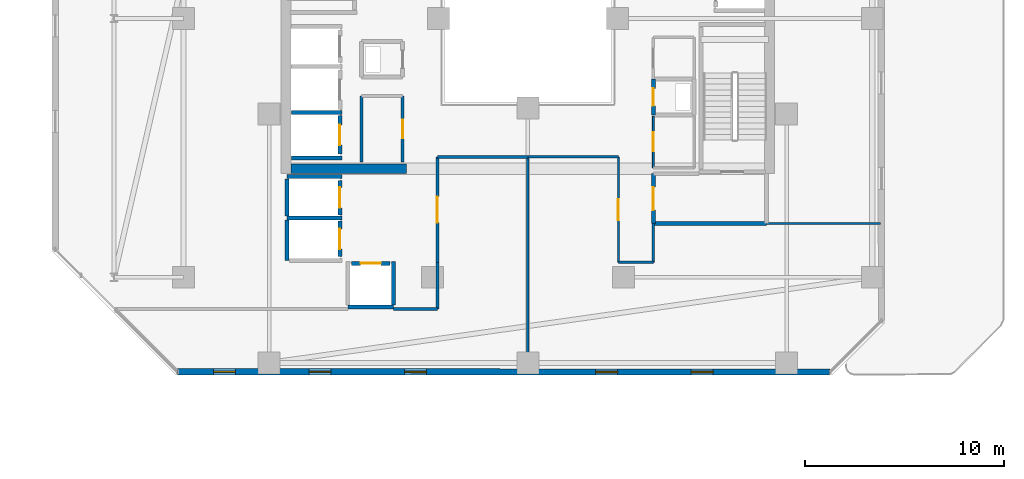
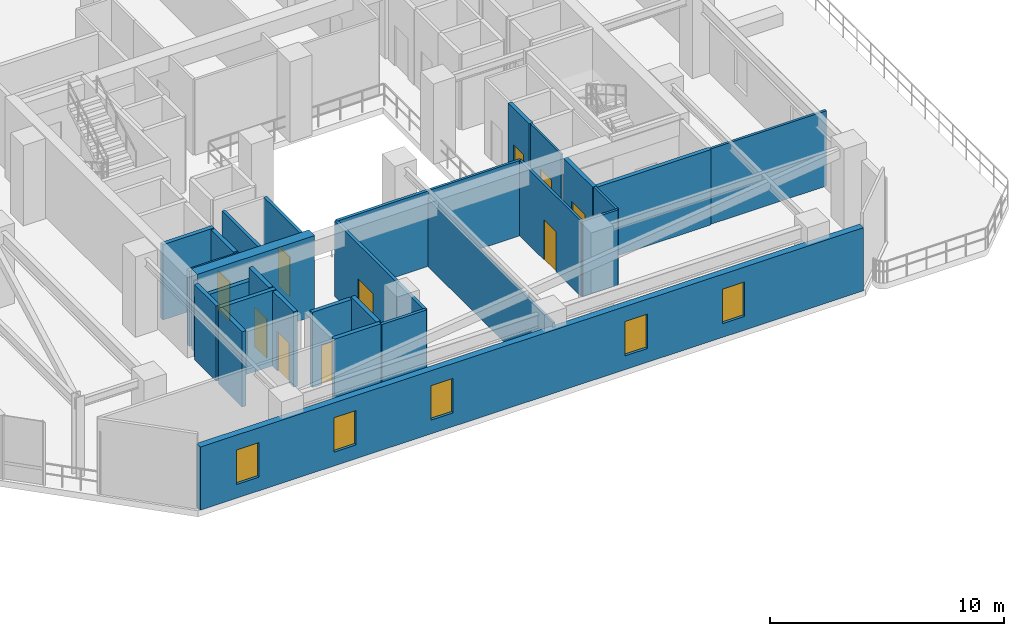
# One storey, part 24 of 33: 30 walls, 10 doors, 5 windows, 15 openings.
"""IFC4 building model written with IfcOpenShell, lengths in metres."""

from ifc_helpers import new_model, si_unit, direction, frame, frame_2d, origin, place, context, subcontext, project, spatial, rectangle, extrude, material, layer, layer_set, type_object, element, fill, save


model = new_model("IFC4")

# Units and contexts
model_context = context("Model", 3, precision=1e-05, world=origin(), true_north=direction((0.0, 1.0)))
body_context = subcontext(model_context, "Body", "Model", "MODEL_VIEW")
ifc_project = project(units=[si_unit("LENGTHUNIT", "METRE"), si_unit("AREAUNIT", "SQUARE_METRE"), si_unit("VOLUMEUNIT", "CUBIC_METRE"), si_unit("PLANEANGLEUNIT", "RADIAN"), si_unit("MASSUNIT", "GRAM", prefix="KILO")], contexts=[model_context])

# Site, building, storey
site_placement = place(None, origin())
site = spatial("IfcSite", under=ifc_project, at=site_placement, CompositionType="ELEMENT")
building_placement = place(site_placement, origin())
building = spatial("IfcBuilding", under=site, at=building_placement, Name="Thornwick Lancets Civic Towers", CompositionType="ELEMENT")
storey_placement = place(building_placement, frame((0.0, 0.0, 174.300048828125)))
storey = spatial("IfcBuildingStorey", under=building, at=storey_placement, Name="L46", CompositionType="ELEMENT", Elevation=174.300048828125)

# Wall, opening, door
ifc_material_1 = material(Name="Concrete blockwork C40/50", Category="masonry")
ifc_layer_1 = layer(ifc_material_1, 0.199951171875, Name="Concrete blockwork C40/50")
ifc_layer_set_1 = layer_set([ifc_layer_1], Name="Concrete blockwork C40/50")
wall_type_1 = type_object("IfcWallType", Name="WALL_COMP_200", PredefinedType="STANDARD", material=ifc_layer_set_1)
wall_1_placement = place(storey_placement, frame((79.050048828125, 20.179931640625, 0.0), z_axis=(0.0, 0.0, 1.0), x_axis=(0.0, 1.0, 0.0)))
wall_1 = element("IfcWall", 1, at=wall_1_placement, inside=storey, type_object=wall_type_1, Name="L46 Hoistway Front Wall PL-BH3", PredefinedType="STANDARD", context=body_context, shape_type="SweptSolid", body=[
    extrude(rectangle(XDim=1.940185546875, YDim=0.199951171875, at=frame_2d((0.97021484375, 0.0))), origin(), (0.0, 0.0, 1.0), 3.93994140625),
])
opening_1_placement = place(wall_1_placement, frame((0.4599609375, 0.0, 0.0)))
opening_1 = element("IfcOpeningElement", 2, at=opening_1_placement, cuts=wall_1, Name="Opening LD-PL-BH3", PredefinedType="OPENING", context=body_context, shape_type="SweptSolid", body=[
    extrude(rectangle(XDim=1.02001953125, YDim=2.06005859375, at=frame_2d((0.510009765625, 1.030029296875))), frame((0.0, 0.10986328125, 0.0), z_axis=(0.0, -1.0, 0.0), x_axis=(1.0, 0.0, 0.0)), (0.0, 0.0, 1.0), 0.219970703125),
])
ifc_material_2 = material(Name="Brushed bronze stainless steel", Category="steel")
door_type_1 = type_object("IfcDoorType", Name="DOOR_LIFT_SLIDE", OperationType="SLIDING_TO_LEFT", PredefinedType="DOOR", material=ifc_material_2)
door_1_placement = place(opening_1_placement, origin())
door_1 = element("IfcDoor", 3, at=door_1_placement, inside=storey, type_object=door_type_1, Name="L46 Sliding Lift Landing Door LD-PL-BH3", OperationType="SLIDING_TO_LEFT", OverallHeight=2.06005859375, OverallWidth=1.02001953125, PredefinedType="DOOR", context=body_context, shape_type="SweptSolid", body=[
    extrude(rectangle(XDim=1.02001953125, YDim=2.06005859375, at=frame_2d((0.510009765625, 1.030029296875))), frame((0.0, 0.02490234375, 0.0), z_axis=(0.0, -1.0, 0.0), x_axis=(1.0, 0.0, 0.0)), (0.0, 0.0, 1.0), 0.050048828125),
])
fill(opening_1, door_1)

wall_2_placement = place(storey_placement, frame((79.050048828125, 17.1298828125, 0.0), z_axis=(0.0, 0.0, 1.0), x_axis=(0.0, 1.0, 0.0)))
wall_2 = element("IfcWall", 4, at=wall_2_placement, inside=storey, type_object=wall_type_1, Name="L46 Hoistway Front Wall PL-BM1", PredefinedType="STANDARD", context=body_context, shape_type="SweptSolid", body=[
    extrude(rectangle(XDim=1.740234375, YDim=0.199951171875, at=frame_2d((0.8701171875, 0.0))), origin(), (0.0, 0.0, 1.0), 3.93994140625),
])
opening_2_placement = place(wall_2_placement, frame((0.360107421875, 0.0, 0.0)))
opening_2 = element("IfcOpeningElement", 5, at=opening_2_placement, cuts=wall_2, Name="Opening LD-PL-BM1", PredefinedType="OPENING", context=body_context, shape_type="SweptSolid", body=[
    extrude(rectangle(XDim=1.02001953125, YDim=2.06005859375, at=frame_2d((0.510009765625, 1.030029296875))), frame((0.0, 0.10986328125, 0.0), z_axis=(0.0, -1.0, 0.0), x_axis=(1.0, 0.0, 0.0)), (0.0, 0.0, 1.0), 0.219970703125),
])
door_2_placement = place(opening_2_placement, origin())
door_2 = element("IfcDoor", 6, at=door_2_placement, inside=storey, type_object=door_type_1, Name="L46 Sliding Lift Landing Door LD-PL-BM1", OperationType="SLIDING_TO_LEFT", OverallHeight=2.06005859375, OverallWidth=1.02001953125, PredefinedType="DOOR", context=body_context, shape_type="SweptSolid", body=[
    extrude(rectangle(XDim=1.02001953125, YDim=2.06005859375, at=frame_2d((0.510009765625, 1.030029296875))), frame((0.0, 0.02490234375, 0.0), z_axis=(0.0, -1.0, 0.0), x_axis=(1.0, 0.0, 0.0)), (0.0, 0.0, 1.0), 0.050048828125),
])
fill(opening_2, door_2)

wall_3_placement = place(storey_placement, frame((79.050048828125, 15.030029296875, 0.0), z_axis=(0.0, 0.0, 1.0), x_axis=(0.0, 1.0, 0.0)))
wall_3 = element("IfcWall", 7, at=wall_3_placement, inside=storey, type_object=wall_type_1, Name="L46 Hoistway Front Wall PL-BM2", PredefinedType="STANDARD", context=body_context, shape_type="SweptSolid", body=[
    extrude(rectangle(XDim=1.7900390625, YDim=0.199951171875, at=frame_2d((0.89501953125, 0.0))), origin(), (0.0, 0.0, 1.0), 3.93994140625),
])
opening_3_placement = place(wall_3_placement, frame((0.385009765625, 0.0, 0.0)))
opening_3 = element("IfcOpeningElement", 8, at=opening_3_placement, cuts=wall_3, Name="Opening LD-PL-BM2", PredefinedType="OPENING", context=body_context, shape_type="SweptSolid", body=[
    extrude(rectangle(XDim=1.02001953125, YDim=2.06005859375, at=frame_2d((0.510009765625, 1.030029296875))), frame((0.0, 0.10986328125, 0.0), z_axis=(0.0, -1.0, 0.0), x_axis=(1.0, 0.0, 0.0)), (0.0, 0.0, 1.0), 0.219970703125),
])
door_3_placement = place(opening_3_placement, origin())
door_3 = element("IfcDoor", 9, at=door_3_placement, inside=storey, type_object=door_type_1, Name="L46 Sliding Lift Landing Door LD-PL-BM2", OperationType="SLIDING_TO_LEFT", OverallHeight=2.06005859375, OverallWidth=1.02001953125, PredefinedType="DOOR", context=body_context, shape_type="SweptSolid", body=[
    extrude(rectangle(XDim=1.02001953125, YDim=2.06005859375, at=frame_2d((0.510009765625, 1.030029296875))), frame((0.0, 0.02490234375, 0.0), z_axis=(0.0, -1.0, 0.0), x_axis=(1.0, 0.0, 0.0)), (0.0, 0.0, 1.0), 0.050048828125),
])
fill(opening_3, door_3)

wall_4_placement = place(storey_placement, frame((79.6298828125, 14.699951171875, 0.0), z_axis=(0.0, 0.0, 1.0), x_axis=(1.0, 0.0, 0.0)))
wall_4 = element("IfcWall", 10, at=wall_4_placement, inside=storey, type_object=wall_type_1, Name="L46 Hoistway Front Wall PL-BM3", PredefinedType="STANDARD", context=body_context, shape_type="SweptSolid", body=[
    extrude(rectangle(XDim=1.940185546875, YDim=0.199951171875, at=frame_2d((0.97021484375, 0.0))), origin(), (0.0, 0.0, 1.0), 3.93994140625),
])
opening_4_placement = place(wall_4_placement, frame((0.4599609375, 0.0, 0.0)))
opening_4 = element("IfcOpeningElement", 11, at=opening_4_placement, cuts=wall_4, Name="Opening LD-PL-BM3", PredefinedType="OPENING", context=body_context, shape_type="SweptSolid", body=[
    extrude(rectangle(XDim=1.02001953125, YDim=2.06005859375, at=frame_2d((0.510009765625, 1.030029296875))), frame((0.0, 0.10986328125, 0.0), z_axis=(0.0, -1.0, 0.0), x_axis=(1.0, 0.0, 0.0)), (0.0, 0.0, 1.0), 0.219970703125),
])
door_4_placement = place(opening_4_placement, origin())
door_4 = element("IfcDoor", 12, at=door_4_placement, inside=storey, type_object=door_type_1, Name="L46 Sliding Lift Landing Door LD-PL-BM3", OperationType="SLIDING_TO_LEFT", OverallHeight=2.06005859375, OverallWidth=1.02001953125, PredefinedType="DOOR", context=body_context, shape_type="SweptSolid", body=[
    extrude(rectangle(XDim=1.02001953125, YDim=2.06005859375, at=frame_2d((0.510009765625, 1.030029296875))), frame((0.0, 0.02490234375, 0.0), z_axis=(0.0, -1.0, 0.0), x_axis=(1.0, 0.0, 0.0)), (0.0, 0.0, 1.0), 0.050048828125),
])
fill(opening_4, door_4)

# Walls
for number, where, z_axis, x_axis, name in (
    (13, (76.612060546875, 22.27490234375, 0.0), (0.0, 0.0, 1.0), (1.0, 0.0, 0.0), "L46 Hoistway Shaft Wall PL-BH2 S"),
    (14, (76.612060546875, 20.0, 0.0), (0.0, 0.0, 1.0), (1.0, 0.0, 0.0), "L46 Hoistway Shaft Wall PL-BH3 S"),
):
    element("IfcWall", number, at=place(storey_placement, frame(where, z_axis=z_axis, x_axis=x_axis)), inside=storey, type_object=wall_type_1, Name=name, PredefinedType="STANDARD", context=body_context, shape_type="SweptSolid", body=[
        extrude(rectangle(XDim=2.535888671875, YDim=0.199951171875, at=frame_2d((1.26806640625, 0.0))), origin(), (0.0, 0.0, 1.0), 3.93994140625),
    ])
wall_5_placement = place(storey_placement, frame((76.402099609375, 19.050048828125, 0.0), z_axis=(0.0, 0.0, 1.0), x_axis=(1.0, 0.0, 0.0)))
element("IfcWall", 15, at=wall_5_placement, inside=storey, type_object=wall_type_1, Name="L46 Hoistway Shaft Wall PL-BM1 N", PredefinedType="STANDARD", context=body_context, shape_type="SweptSolid", body=[
    extrude(rectangle(XDim=2.745849609375, YDim=0.199951171875, at=frame_2d((1.373046875, 0.0))), origin(), (0.0, 0.0, 1.0), 3.14501953125),
])
wall_6_placement = place(storey_placement, frame((76.402099609375, 16.97509765625, 0.0), z_axis=(0.0, 0.0, 1.0), x_axis=(1.0, 0.0, 0.0)))
element("IfcWall", 16, at=wall_6_placement, inside=storey, type_object=wall_type_1, Name="L46 Hoistway Shaft Wall PL-BM1 S", PredefinedType="STANDARD", context=body_context, shape_type="SweptSolid", body=[
    extrude(rectangle(XDim=2.745849609375, YDim=0.199951171875, at=frame_2d((1.373046875, 0.0))), origin(), (0.0, 0.0, 1.0), 3.93994140625),
])
wall_7_placement = place(storey_placement, frame((76.39990234375, 14.85205078125, 0.0), z_axis=(0.0, 0.0, 1.0), x_axis=(0.0, 1.0, 0.0)))
element("IfcWall", 17, at=wall_7_placement, inside=storey, type_object=wall_type_1, Name="L46 Hoistway Shaft Wall PL-BM1 W", PredefinedType="STANDARD", context=body_context, shape_type="SweptSolid", body=[
    extrude(rectangle(XDim=2.015869140625, YDim=0.199951171875, at=frame_2d((1.0078125, 0.0))), origin(), (0.0, 0.0, 1.0), 3.93994140625),
])
wall_8_placement = place(storey_placement, frame((76.39990234375, 17.08203125, 0.0), z_axis=(0.0, 0.0, 1.0), x_axis=(0.0, 1.0, 0.0)))
element("IfcWall", 18, at=wall_8_placement, inside=storey, type_object=wall_type_1, Name="L46 Hoistway Shaft Wall PL-BM1 W", PredefinedType="STANDARD", context=body_context, shape_type="SweptSolid", body=[
    extrude(rectangle(XDim=1.85595703125, YDim=0.199951171875, at=frame_2d((0.927978515625, 0.0))), origin(), (0.0, 0.0, 1.0), 3.93994140625),
])
wall_9_placement = place(storey_placement, frame((79.451904296875, 12.5, 0.0), z_axis=(0.0, 0.0, 1.0), x_axis=(1.0, 0.0, 0.0)))
element("IfcWall", 19, at=wall_9_placement, inside=storey, type_object=wall_type_1, Name="L46 Hoistway Shaft Wall PL-BM3 S", PredefinedType="STANDARD", context=body_context, shape_type="SweptSolid", body=[
    extrude(rectangle(XDim=2.296142578125, YDim=0.199951171875, at=frame_2d((1.14794921875, 0.0))), origin(), (0.0, 0.0, 1.0), 3.93994140625),
])
wall_10_placement = place(storey_placement, frame((81.75, 12.612060546875, 0.0), z_axis=(0.0, 0.0, 1.0), x_axis=(0.0, 1.0, 0.0)))
element("IfcWall", 20, at=wall_10_placement, inside=storey, type_object=wall_type_1, Name="L46 Hoistway Shaft Wall PL-BM3 E", PredefinedType="STANDARD", context=body_context, shape_type="SweptSolid", body=[
    extrude(rectangle(XDim=2.18603515625, YDim=0.199951171875, at=frame_2d((1.093017578125, 0.0))), origin(), (0.0, 0.0, 1.0), 3.93994140625),
])
wall_11_placement = place(storey_placement, frame((94.800048828125, 16.699951171875, 0.0), z_axis=(0.0, 0.0, 1.0), x_axis=(1.0, 0.0, 0.0)))
element("IfcWall", 21, at=wall_11_placement, inside=storey, type_object=wall_type_1, Name="L46 Partition L46-B-FFLOB1 E1", PredefinedType="STANDARD", context=body_context, shape_type="SweptSolid", body=[
    extrude(rectangle(XDim=5.699951171875, YDim=0.199951171875, at=frame_2d((2.85009765625, 0.0))), origin(), (0.0, 0.0, 1.0), 3.93994140625),
])

# Wall, opening, door
wall_12_placement = place(storey_placement, frame((94.800048828125, 19.199951171875, 0.0), z_axis=(0.0, 0.0, 1.0), x_axis=(0.0, -1.0, 0.0)))
wall_12 = element("IfcWall", 22, at=wall_12_placement, inside=storey, type_object=wall_type_1, Name="L46 Partition L46-B-FFLOB1 E4", PredefinedType="STANDARD", context=body_context, shape_type="SweptSolid", body=[
    extrude(rectangle(XDim=2.5, YDim=0.199951171875, at=frame_2d((1.25, 0.0))), origin(), (0.0, 0.0, 1.0), 3.93994140625),
])
opening_5_placement = place(wall_12_placement, frame((0.675048828125, 0.0, 0.0)))
opening_5 = element("IfcOpeningElement", 23, at=opening_5_placement, cuts=wall_12, Name="Opening D-L46-2061", PredefinedType="OPENING", context=body_context, shape_type="SweptSolid", body=[
    extrude(rectangle(XDim=1.14990234375, YDim=2.10009765625, at=frame_2d((0.574951171875, 1.050048828125))), frame((0.0, 0.10986328125, 0.0), z_axis=(0.0, -1.0, 0.0), x_axis=(1.0, 0.0, 0.0)), (0.0, 0.0, 1.0), 0.219970703125),
])
ifc_material_3 = material(Name="Glazed fire-resisting steel", Category="steel")
door_type_2 = type_object("IfcDoorType", Name="DOOR_LOBBY_FD60", OperationType="NOTDEFINED", PredefinedType="DOOR", material=ifc_material_3)
door_5_placement = place(opening_5_placement, origin())
door_5 = element("IfcDoor", 24, at=door_5_placement, inside=storey, type_object=door_type_2, Name="L46 East Firefighting Lobby 1 Door", OperationType="SINGLE_SWING_RIGHT", OverallHeight=2.10009765625, OverallWidth=1.14990234375, PredefinedType="DOOR", context=body_context, shape_type="SweptSolid", body=[
    extrude(rectangle(XDim=1.14990234375, YDim=2.10009765625, at=frame_2d((0.574951171875, 1.050048828125))), frame((0.0, 0.02490234375, 0.0), z_axis=(0.0, -1.0, 0.0), x_axis=(1.0, 0.0, 0.0)), (0.0, 0.0, 1.0), 0.050048828125),
])
fill(opening_5, door_5)

wall_13_placement = place(storey_placement, frame((94.800048828125, 23.949951171875, 0.0), z_axis=(0.0, 0.0, 1.0), x_axis=(0.0, -1.0, 0.0)))
wall_13 = element("IfcWall", 25, at=wall_13_placement, inside=storey, type_object=wall_type_1, Name="L46 Partition L46-B-RISER1 E4", PredefinedType="STANDARD", context=body_context, shape_type="SweptSolid", body=[
    extrude(rectangle(XDim=1.800048828125, YDim=0.199951171875, at=frame_2d((0.89990234375, 0.0))), origin(), (0.0, 0.0, 1.0), 3.93994140625),
])
opening_6_placement = place(wall_13_placement, frame((0.4599609375, 0.0, 0.0)))
opening_6 = element("IfcOpeningElement", 26, at=opening_6_placement, cuts=wall_13, Name="Opening D-L46-2064", PredefinedType="OPENING", context=body_context, shape_type="SweptSolid", body=[
    extrude(rectangle(XDim=0.8798828125, YDim=2.0400390625, at=frame_2d((0.43994140625, 1.02001953125))), frame((0.0, 0.10986328125, 0.0), z_axis=(0.0, -1.0, 0.0), x_axis=(1.0, 0.0, 0.0)), (0.0, 0.0, 1.0), 0.219970703125),
])
ifc_material_4 = material(Name="Steel riser access doorset", Category="steel")
door_type_3 = type_object("IfcDoorType", Name="DOOR_RISER_850", OperationType="NOTDEFINED", PredefinedType="DOOR", material=ifc_material_4)
door_6_placement = place(opening_6_placement, origin())
door_6 = element("IfcDoor", 27, at=door_6_placement, inside=storey, type_object=door_type_3, Name="L46 East Electrical Riser 1 Door", OperationType="SINGLE_SWING_LEFT", OverallHeight=2.0400390625, OverallWidth=0.8798828125, PredefinedType="DOOR", context=body_context, shape_type="SweptSolid", body=[
    extrude(rectangle(XDim=0.8798828125, YDim=2.0400390625, at=frame_2d((0.43994140625, 1.02001953125))), frame((0.0, 0.02490234375, 0.0), z_axis=(0.0, -1.0, 0.0), x_axis=(1.0, 0.0, 0.0)), (0.0, 0.0, 1.0), 0.050048828125),
])
fill(opening_6, door_6)

# Wall
ifc_material_5 = material(Name="Concrete C50/60", Category="concrete")
ifc_layer_2 = layer(ifc_material_5, 0.5, Name="Concrete C50/60")
ifc_layer_set_2 = layer_set([ifc_layer_2], Name="Concrete C50/60")
wall_type_2 = type_object("IfcWallType", Name="WALL_CORE_500", PredefinedType="SHEAR", material=ifc_layer_set_2)
wall_14_placement = place(storey_placement, frame((76.60009765625, 19.449951171875, 0.0), z_axis=(0.0, 0.0, 1.0), x_axis=(1.0, 0.0, 0.0)))
element("IfcWall", 28, at=wall_14_placement, inside=storey, type_object=wall_type_2, Name="L46 Split Core B2 Shear Wall S", PredefinedType="SHEAR", context=body_context, shape_type="SweptSolid", body=[
    extrude(rectangle(XDim=5.7998046875, YDim=0.5, at=frame_2d((2.89990234375, 0.0))), origin(), (0.0, 0.0, 1.0), 4.199951171875),
])

# Wall, openings, windows
ifc_material_6 = material(Name="Insulated buff terracotta rainscreen on concrete C40/50", Category="masonry")
ifc_layer_3 = layer(ifc_material_6, 0.320068359375, Name="Insulated buff terracotta rainscreen on concrete C40/50")
ifc_layer_set_3 = layer_set([ifc_layer_3], Name="Insulated buff terracotta rainscreen on concrete C40/50")
wall_type_3 = type_object("IfcWallType", Name="WALL_EXT_TERRA_320", PredefinedType="STANDARD", material=ifc_layer_set_3)
wall_15_placement = place(storey_placement, frame((70.903564453125, 9.247314453125, 0.0), z_axis=(0.0, 0.0, 1.0), x_axis=(0.999999933399, -0.000364968916, 0.0)))
wall_15 = element("IfcWall", 29, at=wall_15_placement, inside=storey, type_object=wall_type_3, Name="L46 Tower B Terracotta Facade Wall E0", PredefinedType="STANDARD", context=body_context, shape_type="SweptSolid", body=[
    extrude(rectangle(XDim=32.77783203125, YDim=0.320068359375, at=frame_2d((16.388916015625, 0.0))), origin(), (0.0, 0.0, 1.0), 3.300048828125),
])
opening_7_placement = place(wall_15_placement, frame((1.800048828125, 0.0, 0.719970703125)))
opening_7 = element("IfcOpeningElement", 30, at=opening_7_placement, cuts=wall_15, Name="Opening WL-02", PredefinedType="OPENING", context=body_context, shape_type="SweptSolid", body=[
    extrude(rectangle(XDim=1.10009765625, YDim=1.800048828125, at=frame_2d((0.550048828125, 0.89990234375))), frame((0.0, 0.169921875, 0.0), z_axis=(0.0, -1.0, 0.0), x_axis=(1.0, 0.0, 0.0)), (0.0, 0.0, 1.0), 0.340087890625),
])
opening_8_placement = place(wall_15_placement, frame((6.60009765625, 0.0, 0.719970703125)))
opening_8 = element("IfcOpeningElement", 31, at=opening_8_placement, cuts=wall_15, Name="Opening WL-02", PredefinedType="OPENING", context=body_context, shape_type="SweptSolid", body=[
    extrude(rectangle(XDim=1.10009765625, YDim=1.800048828125, at=frame_2d((0.550048828125, 0.89990234375))), frame((0.0, 0.169921875, 0.0), z_axis=(0.0, -1.0, 0.0), x_axis=(1.0, 0.0, 0.0)), (0.0, 0.0, 1.0), 0.340087890625),
])
opening_9_placement = place(wall_15_placement, frame((11.39990234375, 0.0, 0.719970703125)))
opening_9 = element("IfcOpeningElement", 32, at=opening_9_placement, cuts=wall_15, Name="Opening WL-02", PredefinedType="OPENING", context=body_context, shape_type="SweptSolid", body=[
    extrude(rectangle(XDim=1.10009765625, YDim=1.800048828125, at=frame_2d((0.550048828125, 0.89990234375))), frame((0.0, 0.169921875, 0.0), z_axis=(0.0, -1.0, 0.0), x_axis=(1.0, 0.0, 0.0)), (0.0, 0.0, 1.0), 0.340087890625),
])
opening_10_placement = place(wall_15_placement, frame((21.0, 0.0, 0.719970703125)))
opening_10 = element("IfcOpeningElement", 33, at=opening_10_placement, cuts=wall_15, Name="Opening WL-02", PredefinedType="OPENING", context=body_context, shape_type="SweptSolid", body=[
    extrude(rectangle(XDim=1.10009765625, YDim=1.800048828125, at=frame_2d((0.550048828125, 0.89990234375))), frame((0.0, 0.169921875, 0.0), z_axis=(0.0, -1.0, 0.0), x_axis=(1.0, 0.0, 0.0)), (0.0, 0.0, 1.0), 0.340087890625),
])
opening_11_placement = place(wall_15_placement, frame((25.800048828125, 0.0, 0.719970703125)))
opening_11 = element("IfcOpeningElement", 34, at=opening_11_placement, cuts=wall_15, Name="Opening WL-02", PredefinedType="OPENING", context=body_context, shape_type="SweptSolid", body=[
    extrude(rectangle(XDim=1.10009765625, YDim=1.800048828125, at=frame_2d((0.550048828125, 0.89990234375))), frame((0.0, 0.169921875, 0.0), z_axis=(0.0, -1.0, 0.0), x_axis=(1.0, 0.0, 0.0)), (0.0, 0.0, 1.0), 0.340087890625),
])
ifc_material_7 = material(Name="Clear low-e double glazing in bronze frame", Category="glass")
window_type = type_object("IfcWindowType", Name="WIN_LANCET_1100", PartitioningType="SINGLE_PANEL", PredefinedType="WINDOW", material=ifc_material_7)
window_1_placement = place(opening_7_placement, origin())
window_1 = element("IfcWindow", 35, at=window_1_placement, inside=storey, type_object=window_type, Name="L46 Tower B Staggered Lancet Window E0-1", OverallHeight=1.800048828125, OverallWidth=1.10009765625, PartitioningType="SINGLE_PANEL", PredefinedType="WINDOW", context=body_context, shape_type="SweptSolid", body=[
    extrude(rectangle(XDim=1.10009765625, YDim=1.800048828125, at=frame_2d((0.550048828125, 0.89990234375))), frame((0.0, 0.030029296875, 0.0), z_axis=(0.0, -1.0, 0.0), x_axis=(1.0, 0.0, 0.0)), (0.0, 0.0, 1.0), 0.06005859375),
])
fill(opening_7, window_1)
window_2_placement = place(opening_8_placement, origin())
window_2 = element("IfcWindow", 36, at=window_2_placement, inside=storey, type_object=window_type, Name="L46 Tower B Staggered Lancet Window E0-2", OverallHeight=1.800048828125, OverallWidth=1.10009765625, PartitioningType="SINGLE_PANEL", PredefinedType="WINDOW", context=body_context, shape_type="SweptSolid", body=[
    extrude(rectangle(XDim=1.10009765625, YDim=1.800048828125, at=frame_2d((0.550048828125, 0.89990234375))), frame((0.0, 0.030029296875, 0.0), z_axis=(0.0, -1.0, 0.0), x_axis=(1.0, 0.0, 0.0)), (0.0, 0.0, 1.0), 0.06005859375),
])
fill(opening_8, window_2)
window_3_placement = place(opening_9_placement, origin())
window_3 = element("IfcWindow", 37, at=window_3_placement, inside=storey, type_object=window_type, Name="L46 Tower B Staggered Lancet Window E0-3", OverallHeight=1.800048828125, OverallWidth=1.10009765625, PartitioningType="SINGLE_PANEL", PredefinedType="WINDOW", context=body_context, shape_type="SweptSolid", body=[
    extrude(rectangle(XDim=1.10009765625, YDim=1.800048828125, at=frame_2d((0.550048828125, 0.89990234375))), frame((0.0, 0.030029296875, 0.0), z_axis=(0.0, -1.0, 0.0), x_axis=(1.0, 0.0, 0.0)), (0.0, 0.0, 1.0), 0.06005859375),
])
fill(opening_9, window_3)
window_4_placement = place(opening_10_placement, origin())
window_4 = element("IfcWindow", 38, at=window_4_placement, inside=storey, type_object=window_type, Name="L46 Tower B Staggered Lancet Window E0-4", OverallHeight=1.800048828125, OverallWidth=1.10009765625, PartitioningType="SINGLE_PANEL", PredefinedType="WINDOW", context=body_context, shape_type="SweptSolid", body=[
    extrude(rectangle(XDim=1.10009765625, YDim=1.800048828125, at=frame_2d((0.550048828125, 0.89990234375))), frame((0.0, 0.030029296875, 0.0), z_axis=(0.0, -1.0, 0.0), x_axis=(1.0, 0.0, 0.0)), (0.0, 0.0, 1.0), 0.06005859375),
])
fill(opening_10, window_4)
window_5_placement = place(opening_11_placement, origin())
window_5 = element("IfcWindow", 39, at=window_5_placement, inside=storey, type_object=window_type, Name="L46 Tower B Staggered Lancet Window E0-5", OverallHeight=1.800048828125, OverallWidth=1.10009765625, PartitioningType="SINGLE_PANEL", PredefinedType="WINDOW", context=body_context, shape_type="SweptSolid", body=[
    extrude(rectangle(XDim=1.10009765625, YDim=1.800048828125, at=frame_2d((0.550048828125, 0.89990234375))), frame((0.0, 0.030029296875, 0.0), z_axis=(0.0, -1.0, 0.0), x_axis=(1.0, 0.0, 0.0)), (0.0, 0.0, 1.0), 0.06005859375),
])
fill(opening_11, window_5)

# Wall, opening, door
ifc_material_8 = material(Name="Lightweight cellular office partition")
ifc_layer_4 = layer(ifc_material_8, 0.10009765625, Name="Lightweight cellular office partition")
ifc_layer_set_4 = layer_set([ifc_layer_4], Name="Lightweight cellular office partition")
wall_type_4 = type_object("IfcWallType", Name="WALL_PART_100", PredefinedType="PARTITIONING", material=ifc_layer_set_4)
wall_16_placement = place(storey_placement, frame((94.800048828125, 22.10009765625, 0.0), z_axis=(0.0, 0.0, 1.0), x_axis=(0.0, -1.0, 0.0)))
wall_16 = element("IfcWall", 40, at=wall_16_placement, inside=storey, type_object=wall_type_4, Name="L46 Partition L46-B-CLN E4", PredefinedType="PARTITIONING", context=body_context, shape_type="SweptSolid", body=[
    extrude(rectangle(XDim=2.60009765625, YDim=0.10009765625, at=frame_2d((1.300048828125, 0.0))), origin(), (0.0, 0.0, 1.0), 3.93994140625),
])
opening_12_placement = place(wall_16_placement, frame((0.824951171875, 0.0, 0.0)))
opening_12 = element("IfcOpeningElement", 41, at=opening_12_placement, cuts=wall_16, Name="Opening D-L46-2067", PredefinedType="OPENING", context=body_context, shape_type="SweptSolid", body=[
    extrude(rectangle(XDim=0.949951171875, YDim=2.10009765625, at=frame_2d((0.47509765625, 1.050048828125))), frame((0.0, 0.06005859375, 0.0), z_axis=(0.0, -1.0, 0.0), x_axis=(1.0, 0.0, 0.0)), (0.0, 0.0, 1.0), 0.1201171875),
])
ifc_material_9 = material(Name="European oak acoustic doorset")
door_type_4 = type_object("IfcDoorType", Name="DOOR_OFFICE_950", OperationType="NOTDEFINED", PredefinedType="DOOR", material=ifc_material_9)
door_7_placement = place(opening_12_placement, origin())
door_7 = element("IfcDoor", 42, at=door_7_placement, inside=storey, type_object=door_type_4, Name="L46 Tower B Cleaners Store Door", OperationType="SINGLE_SWING_RIGHT", OverallHeight=2.10009765625, OverallWidth=0.949951171875, PredefinedType="DOOR", context=body_context, shape_type="SweptSolid", body=[
    extrude(rectangle(XDim=0.949951171875, YDim=2.10009765625, at=frame_2d((0.47509765625, 1.050048828125))), frame((0.0, 0.02490234375, 0.0), z_axis=(0.0, -1.0, 0.0), x_axis=(1.0, 0.0, 0.0)), (0.0, 0.0, 1.0), 0.050048828125),
])
fill(opening_12, door_7)

# Walls
ifc_material_10 = material(Name="Acoustic gypsum board partition")
ifc_layer_5 = layer(ifc_material_10, 0.1201171875, Name="Acoustic gypsum board partition")
ifc_layer_set_5 = layer_set([ifc_layer_5], Name="Acoustic gypsum board partition")
wall_type_5 = type_object("IfcWallType", Name="WALL_PART_120", PredefinedType="PARTITIONING", material=ifc_layer_set_5)
wall_17_placement = place(storey_placement, frame((88.5, 9.280029296875, 0.0), z_axis=(0.0, 0.0, 1.0), x_axis=(0.0, 1.0, 0.0)))
element("IfcWall", 43, at=wall_17_placement, inside=storey, type_object=wall_type_5, Name="L46 Partition L46-B-W1 E2", PredefinedType="PARTITIONING", context=body_context, shape_type="SweptSolid", body=[
    extrude(rectangle(XDim=10.77001953125, YDim=0.1201171875, at=frame_2d((5.385009765625, 0.0))), origin(), (0.0, 0.0, 1.0), 3.5322265625),
])
wall_18_placement = place(storey_placement, frame((88.5, 20.050048828125, 0.0), z_axis=(0.0, 0.0, 1.0), x_axis=(1.0, 0.0, 0.0)))
element("IfcWall", 44, at=wall_18_placement, inside=storey, type_object=wall_type_5, Name="L46 Partition L46-B-W1 E3", PredefinedType="PARTITIONING", context=body_context, shape_type="SweptSolid", body=[
    extrude(rectangle(XDim=4.550048828125, YDim=0.1201171875, at=frame_2d((2.27490234375, 0.0))), origin(), (0.0, 0.0, 1.0), 3.93994140625),
])

# Wall, opening, door
wall_19_placement = place(storey_placement, frame((93.050048828125, 20.050048828125, 0.0), z_axis=(0.0, 0.0, 1.0), x_axis=(0.0, -1.0, 0.0)))
wall_19 = element("IfcWall", 45, at=wall_19_placement, inside=storey, type_object=wall_type_5, Name="L46 Partition L46-B-W1 E4", PredefinedType="PARTITIONING", context=body_context, shape_type="SweptSolid", body=[
    extrude(rectangle(XDim=5.300048828125, YDim=0.1201171875, at=frame_2d((2.64990234375, 0.0))), origin(), (0.0, 0.0, 1.0), 3.93994140625),
])
opening_13_placement = place(wall_19_placement, frame((2.125, 0.0, 0.0)))
opening_13 = element("IfcOpeningElement", 46, at=opening_13_placement, cuts=wall_19, Name="Opening D-L46-2079", PredefinedType="OPENING", context=body_context, shape_type="SweptSolid", body=[
    extrude(rectangle(XDim=1.050048828125, YDim=2.10009765625, at=frame_2d((0.52490234375, 1.050048828125))), frame((0.0, 0.070068359375, 0.0), z_axis=(0.0, -1.0, 0.0), x_axis=(1.0, 0.0, 0.0)), (0.0, 0.0, 1.0), 0.14013671875),
])
ifc_material_11 = material(Name="Glazed European oak executive doorset")
door_type_5 = type_object("IfcDoorType", Name="DOOR_OFFICE_1050", OperationType="NOTDEFINED", PredefinedType="DOOR", material=ifc_material_11)
door_8_placement = place(opening_13_placement, origin())
door_8 = element("IfcDoor", 47, at=door_8_placement, inside=storey, type_object=door_type_5, Name="L46 Tower B Ministry Directorate Office W1 Door", OperationType="SINGLE_SWING_RIGHT", OverallHeight=2.10009765625, OverallWidth=1.050048828125, PredefinedType="DOOR", context=body_context, shape_type="SweptSolid", body=[
    extrude(rectangle(XDim=1.050048828125, YDim=2.10009765625, at=frame_2d((0.52490234375, 1.050048828125))), frame((0.0, 0.02490234375, 0.0), z_axis=(0.0, -1.0, 0.0), x_axis=(1.0, 0.0, 0.0)), (0.0, 0.0, 1.0), 0.050048828125),
])
fill(opening_13, door_8)

# Walls
wall_20_placement = place(storey_placement, frame((93.050048828125, 14.75, 0.0), z_axis=(0.0, 0.0, 1.0), x_axis=(1.0, 0.0, 0.0)))
element("IfcWall", 48, at=wall_20_placement, inside=storey, type_object=wall_type_5, Name="L46 Partition L46-B-W1 E5", PredefinedType="PARTITIONING", context=body_context, shape_type="SweptSolid", body=[
    extrude(rectangle(XDim=1.75, YDim=0.1201171875, at=frame_2d((0.875, 0.0))), origin(), (0.0, 0.0, 1.0), 3.93994140625),
])
wall_21_placement = place(storey_placement, frame((94.800048828125, 14.75, 0.0), z_axis=(0.0, 0.0, 1.0), x_axis=(0.0, 1.0, 0.0)))
element("IfcWall", 49, at=wall_21_placement, inside=storey, type_object=wall_type_5, Name="L46 Partition L46-B-W1 E6", PredefinedType="PARTITIONING", context=body_context, shape_type="SweptSolid", body=[
    extrude(rectangle(XDim=1.949951171875, YDim=0.1201171875, at=frame_2d((0.97509765625, 0.0))), origin(), (0.0, 0.0, 1.0), 3.93994140625),
])
wall_22_placement = place(storey_placement, frame((100.5, 16.699951171875, 0.0), z_axis=(0.0, 0.0, 1.0), x_axis=(1.0, 0.0, 0.0)))
element("IfcWall", 50, at=wall_22_placement, inside=storey, type_object=wall_type_5, Name="L46 Partition L46-B-W1 E8", PredefinedType="PARTITIONING", context=body_context, shape_type="SweptSolid", body=[
    extrude(rectangle(XDim=5.719970703125, YDim=0.1201171875, at=frame_2d((2.85986328125, 0.0))), origin(), (0.0, 0.0, 1.0), 3.93994140625),
])

# Wall, opening, door
ifc_material_12 = material(Name="Twin-stud acoustic gypsum board")
ifc_layer_6 = layer(ifc_material_12, 0.14990234375, Name="Twin-stud acoustic gypsum board")
ifc_layer_set_6 = layer_set([ifc_layer_6], Name="Twin-stud acoustic gypsum board")
wall_type_6 = type_object("IfcWallType", Name="WALL_PART_150", PredefinedType="PARTITIONING", material=ifc_layer_set_6)
wall_23_placement = place(storey_placement, frame((82.199951171875, 19.800048828125, 0.0), z_axis=(0.0, 0.0, 1.0), x_axis=(0.0, 1.0, 0.0)))
wall_23 = element("IfcWall", 51, at=wall_23_placement, inside=storey, type_object=wall_type_6, Name="L46 Partition L46-B-MWC E2", PredefinedType="PARTITIONING", context=body_context, shape_type="SweptSolid", body=[
    extrude(rectangle(XDim=3.300048828125, YDim=0.14990234375, at=frame_2d((1.64990234375, 0.0))), origin(), (0.0, 0.0, 1.0), 3.93994140625),
])
opening_14_placement = place(wall_23_placement, frame((1.18994140625, 0.0, 0.0)))
opening_14 = element("IfcOpeningElement", 52, at=opening_14_placement, cuts=wall_23, Name="Opening D-L46-2071", PredefinedType="OPENING", context=body_context, shape_type="SweptSolid", body=[
    extrude(rectangle(XDim=0.919921875, YDim=2.080078125, at=frame_2d((0.4599609375, 1.0400390625))), frame((0.0, 0.0849609375, 0.0), z_axis=(0.0, -1.0, 0.0), x_axis=(1.0, 0.0, 0.0)), (0.0, 0.0, 1.0), 0.169921875),
])
ifc_material_13 = material(Name="Moisture-resistant oak doorset")
door_type_6 = type_object("IfcDoorType", Name="DOOR_WC_900", OperationType="NOTDEFINED", PredefinedType="DOOR", material=ifc_material_13)
door_9_placement = place(opening_14_placement, origin())
door_9 = element("IfcDoor", 53, at=door_9_placement, inside=storey, type_object=door_type_6, Name="L46 Tower B Male WC Door", OperationType="SINGLE_SWING_RIGHT", OverallHeight=2.080078125, OverallWidth=0.919921875, PredefinedType="DOOR", context=body_context, shape_type="SweptSolid", body=[
    extrude(rectangle(XDim=0.919921875, YDim=2.080078125, at=frame_2d((0.4599609375, 1.0400390625))), frame((0.0, 0.02490234375, 0.0), z_axis=(0.0, -1.0, 0.0), x_axis=(1.0, 0.0, 0.0)), (0.0, 0.0, 1.0), 0.050048828125),
])
fill(opening_14, door_9)

# Wall
wall_24_placement = place(storey_placement, frame((80.14990234375, 23.10009765625, 0.0), z_axis=(0.0, 0.0, 1.0), x_axis=(0.0, -1.0, 0.0)))
element("IfcWall", 54, at=wall_24_placement, inside=storey, type_object=wall_type_6, Name="L46 Partition L46-B-MWC E4", PredefinedType="PARTITIONING", context=body_context, shape_type="SweptSolid", body=[
    extrude(rectangle(XDim=3.300048828125, YDim=0.14990234375, at=frame_2d((1.64990234375, 0.0))), origin(), (0.0, 0.0, 1.0), 3.93994140625),
])

# Wall, opening, door
wall_25_placement = place(storey_placement, frame((83.949951171875, 14.75, 0.0), z_axis=(0.0, 0.0, 1.0), x_axis=(0.0, 1.0, 0.0)))
wall_25 = element("IfcWall", 55, at=wall_25_placement, inside=storey, type_object=wall_type_6, Name="L46 Partition L46-B-W2 E1", PredefinedType="PARTITIONING", context=body_context, shape_type="SweptSolid", body=[
    extrude(rectangle(XDim=5.300048828125, YDim=0.14990234375, at=frame_2d((2.64990234375, 0.0))), origin(), (0.0, 0.0, 1.0), 3.93994140625),
])
opening_15_placement = place(wall_25_placement, frame((2.0, 0.0, 0.0)))
opening_15 = element("IfcOpeningElement", 56, at=opening_15_placement, cuts=wall_25, Name="Opening D-L46-2080", PredefinedType="OPENING", context=body_context, shape_type="SweptSolid", body=[
    extrude(rectangle(XDim=1.300048828125, YDim=2.1201171875, at=frame_2d((0.64990234375, 1.06005859375))), frame((0.0, 0.0849609375, 0.0), z_axis=(0.0, -1.0, 0.0), x_axis=(1.0, 0.0, 0.0)), (0.0, 0.0, 1.0), 0.169921875),
])
ifc_material_14 = material(Name="Acoustic oak leaf-and-a-half doorset")
door_type_7 = type_object("IfcDoorType", Name="DOOR_MEET_1300", OperationType="DOUBLE_DOOR_SINGLE_SWING", PredefinedType="DOOR", material=ifc_material_14)
door_10_placement = place(opening_15_placement, origin())
door_10 = element("IfcDoor", 57, at=door_10_placement, inside=storey, type_object=door_type_7, Name="L46 Tower B Policy Briefing Room W2 Door", OperationType="DOUBLE_DOOR_SINGLE_SWING", OverallHeight=2.1201171875, OverallWidth=1.300048828125, PredefinedType="DOOR", context=body_context, shape_type="SweptSolid", body=[
    extrude(rectangle(XDim=1.300048828125, YDim=2.1201171875, at=frame_2d((0.64990234375, 1.06005859375))), frame((0.0, 0.02490234375, 0.0), z_axis=(0.0, -1.0, 0.0), x_axis=(1.0, 0.0, 0.0)), (0.0, 0.0, 1.0), 0.050048828125),
])
fill(opening_15, door_10)

# Walls
wall_26_placement = place(storey_placement, frame((83.949951171875, 20.050048828125, 0.0), z_axis=(0.0, 0.0, 1.0), x_axis=(1.0, 0.0, 0.0)))
element("IfcWall", 58, at=wall_26_placement, inside=storey, type_object=wall_type_6, Name="L46 Partition L46-B-W2 E2", PredefinedType="PARTITIONING", context=body_context, shape_type="SweptSolid", body=[
    extrude(rectangle(XDim=4.550048828125, YDim=0.14990234375, at=frame_2d((2.27490234375, 0.0))), origin(), (0.0, 0.0, 1.0), 3.93994140625),
])
wall_27_placement = place(storey_placement, frame((81.748046875, 12.39990234375, 0.0), z_axis=(0.0, 0.0, 1.0), x_axis=(1.0, 0.0, 0.0)))
element("IfcWall", 59, at=wall_27_placement, inside=storey, type_object=wall_type_6, Name="L46 Partition L46-B-W2 E6", PredefinedType="PARTITIONING", context=body_context, shape_type="SweptSolid", body=[
    extrude(rectangle(XDim=2.201904296875, YDim=0.14990234375, at=frame_2d((1.10107421875, 0.0))), origin(), (0.0, 0.0, 1.0), 3.93994140625),
])
wall_28_placement = place(storey_placement, frame((83.949951171875, 12.39990234375, 0.0), z_axis=(0.0, 0.0, 1.0), x_axis=(0.0, 1.0, 0.0)))
element("IfcWall", 60, at=wall_28_placement, inside=storey, type_object=wall_type_6, Name="L46 Partition L46-B-W2 E7", PredefinedType="PARTITIONING", context=body_context, shape_type="SweptSolid", body=[
    extrude(rectangle(XDim=2.35009765625, YDim=0.14990234375, at=frame_2d((1.175048828125, 0.0))), origin(), (0.0, 0.0, 1.0), 3.93994140625),
])

save(model, "model.ifc")
